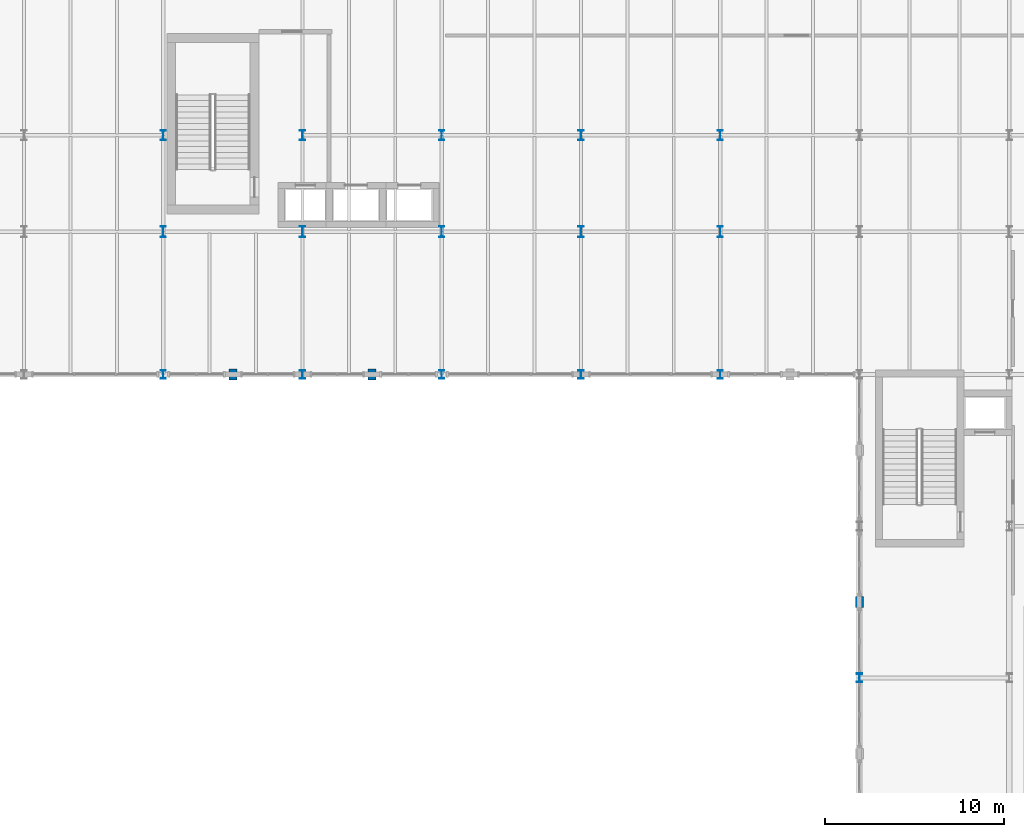
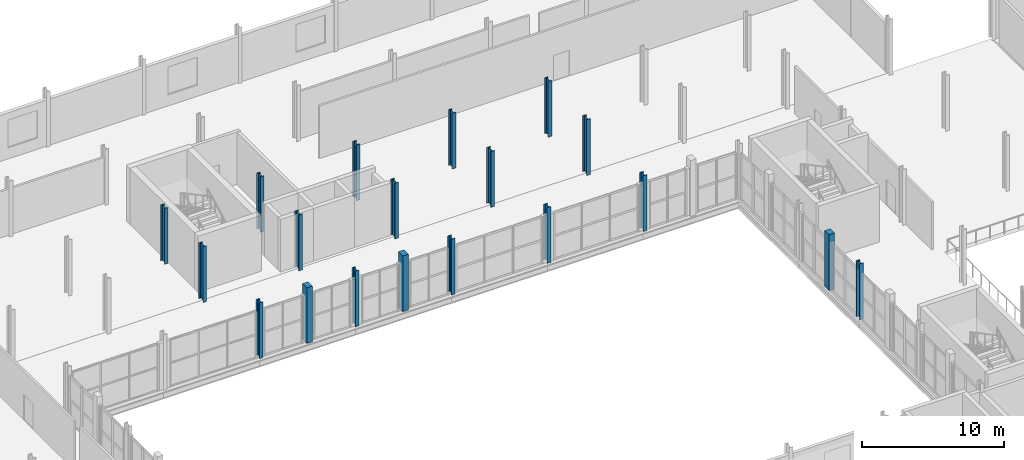
# One storey, part 9 of 63: 19 columns.
"""IFC4 building model written with IfcOpenShell, lengths in metres."""

from ifc_helpers import new_model, si_unit, direction, frame, origin, origin_2d, place, context, subcontext, project, spatial, rectangle, i_section, extrude, material, material_profile, profile_set, type_object, element, save


model = new_model("IFC4")

# Units and contexts
model_context = context("Model", 3, precision=1e-05, world=origin(), true_north=direction((0.0, 1.0)))
body_context = subcontext(model_context, "Body", "Model", "MODEL_VIEW")
ifc_project = project(units=[si_unit("LENGTHUNIT", "METRE"), si_unit("AREAUNIT", "SQUARE_METRE"), si_unit("VOLUMEUNIT", "CUBIC_METRE"), si_unit("PLANEANGLEUNIT", "RADIAN"), si_unit("MASSUNIT", "GRAM", prefix="KILO")], contexts=[model_context])

# Site, building, storey
site_placement = place(None, origin())
site = spatial("IfcSite", under=ifc_project, at=site_placement, CompositionType="ELEMENT")
building_placement = place(site_placement, origin())
building = spatial("IfcBuilding", under=site, at=building_placement, Name="Sefraquen Railside Congress Hotel", CompositionType="ELEMENT")
storey_placement = place(building_placement, frame((0.0, 0.0, 11.39990234375)))
storey = spatial("IfcBuildingStorey", under=building, at=storey_placement, Name="L02", CompositionType="ELEMENT", Elevation=11.39990234375)

# Columns
ifc_material_1 = material(Name="Steel S355JR", Category="steel")
ifc_material_profile_1 = material_profile(ifc_material_1, i_section(OverallWidth=0.300048828125, OverallDepth=0.5, WebThickness=0.014404296875, FlangeThickness=0.028076171875, FilletRadius=0.027099609375, at=origin_2d()), Name="HEB 500")
ifc_profile_set_1 = profile_set([ifc_material_profile_1], Name="Steel S355JR")
column_type_1 = type_object("IfcColumnType", Name="TC-HEB-500", PredefinedType="COLUMN", material=ifc_profile_set_1)
for number, where, z_axis, x_axis, name in (
    (1, (64.199951171875, 88.0, 0.0), (0.0, 0.0, 1.0), (1.0, 0.0, 0.0), "Structural column 9-L L02"),
    (2, (72.0, 88.0, 0.0), (0.0, 0.0, 1.0), (1.0, 0.0, 0.0), "Structural column 10-L L02"),
    (3, (79.800048828125, 88.0, 0.0), (0.0, 0.0, 1.0), (1.0, 0.0, 0.0), "Structural column 11-L L02"),
    (4, (87.60009765625, 88.0, 0.0), (0.0, 0.0, 1.0), (1.0, 0.0, 0.0), "Structural column 12-L L02"),
    (5, (95.39990234375, 88.0, 0.0), (0.0, 0.0, 1.0), (1.0, 0.0, 0.0), "Structural column 13-L L02"),
    (6, (103.199951171875, 71.0, 0.0), (0.0, 0.0, 1.0), (1.0, 0.0, 0.0), "Structural column 14-J L02"),
):
    element("IfcColumn", number, at=place(storey_placement, frame(where, z_axis=z_axis, x_axis=x_axis)), inside=storey, type_object=column_type_1, Name=name, PredefinedType="COLUMN", context=body_context, shape_type="SweptSolid", body=[
        extrude(i_section(OverallWidth=0.300048828125, OverallDepth=0.5, WebThickness=0.014404296875, FlangeThickness=0.028076171875, FilletRadius=0.027099609375, at=origin_2d()), origin(), (0.0, 0.0, 1.0), 4.800048828125),
    ])
ifc_material_profile_2 = material_profile(ifc_material_1, i_section(OverallWidth=0.300048828125, OverallDepth=0.550048828125, WebThickness=0.014892578125, FlangeThickness=0.029052734375, FilletRadius=0.027099609375, at=origin_2d()), Name="HEB 550")
ifc_profile_set_2 = profile_set([ifc_material_profile_2], Name="Steel S355JR")
column_type_2 = type_object("IfcColumnType", Name="TC-HEB-550", PredefinedType="COLUMN", material=ifc_profile_set_2)
for number, where, z_axis, x_axis, name in (
    (7, (64.199951171875, 101.39990234375, 0.0), (0.0, 0.0, 1.0), (1.0, 0.0, 0.0), "Structural column 9-N L02"),
    (8, (72.0, 101.39990234375, 0.0), (0.0, 0.0, 1.0), (1.0, 0.0, 0.0), "Structural column 10-N L02"),
    (9, (79.800048828125, 101.39990234375, 0.0), (0.0, 0.0, 1.0), (1.0, 0.0, 0.0), "Structural column 11-N L02"),
    (10, (87.60009765625, 101.39990234375, 0.0), (0.0, 0.0, 1.0), (1.0, 0.0, 0.0), "Structural column 12-N L02"),
    (11, (95.39990234375, 101.39990234375, 0.0), (0.0, 0.0, 1.0), (1.0, 0.0, 0.0), "Structural column 13-N L02"),
):
    element("IfcColumn", number, at=place(storey_placement, frame(where, z_axis=z_axis, x_axis=x_axis)), inside=storey, type_object=column_type_2, Name=name, PredefinedType="COLUMN", context=body_context, shape_type="SweptSolid", body=[
        extrude(i_section(OverallWidth=0.300048828125, OverallDepth=0.550048828125, WebThickness=0.014892578125, FlangeThickness=0.029052734375, FilletRadius=0.027099609375, at=origin_2d()), origin(), (0.0, 0.0, 1.0), 4.800048828125),
    ])
ifc_material_profile_3 = material_profile(ifc_material_1, i_section(OverallWidth=0.300048828125, OverallDepth=0.60009765625, WebThickness=0.015380859375, FlangeThickness=0.030029296875, FilletRadius=0.027099609375, at=origin_2d()), Name="HEB 600")
ifc_profile_set_3 = profile_set([ifc_material_profile_3], Name="Steel S355JR")
column_type_3 = type_object("IfcColumnType", Name="TC-HEB-600", PredefinedType="COLUMN", material=ifc_profile_set_3)
for number, where, z_axis, x_axis, name in (
    (12, (64.199951171875, 96.0, 0.0), (0.0, 0.0, 1.0), (1.0, 0.0, 0.0), "Structural column 9-M L02"),
    (13, (72.0, 96.0, 0.0), (0.0, 0.0, 1.0), (1.0, 0.0, 0.0), "Structural column 10-M L02"),
    (14, (79.800048828125, 96.0, 0.0), (0.0, 0.0, 1.0), (1.0, 0.0, 0.0), "Structural column 11-M L02"),
    (15, (87.60009765625, 96.0, 0.0), (0.0, 0.0, 1.0), (1.0, 0.0, 0.0), "Structural column 12-M L02"),
    (16, (95.39990234375, 96.0, 0.0), (0.0, 0.0, 1.0), (1.0, 0.0, 0.0), "Structural column 13-M L02"),
):
    element("IfcColumn", number, at=place(storey_placement, frame(where, z_axis=z_axis, x_axis=x_axis)), inside=storey, type_object=column_type_3, Name=name, PredefinedType="COLUMN", context=body_context, shape_type="SweptSolid", body=[
        extrude(i_section(OverallWidth=0.300048828125, OverallDepth=0.60009765625, WebThickness=0.015380859375, FlangeThickness=0.030029296875, FilletRadius=0.027099609375, at=origin_2d()), origin(), (0.0, 0.0, 1.0), 4.800048828125),
    ])
ifc_material_2 = material(Name="Concrete C50/60", Category="concrete")
ifc_material_profile_4 = material_profile(ifc_material_2, rectangle(XDim=0.449951171875, YDim=0.60009765625, at=origin_2d()), Name="RC 600x450")
ifc_profile_set_4 = profile_set([ifc_material_profile_4], Name="Concrete C50/60")
column_type_4 = type_object("IfcColumnType", Name="TC-PIL-600", PredefinedType="PILASTER", material=ifc_profile_set_4)
for number, where, z_axis, x_axis, name in (
    (17, (103.199951171875, 75.25, 0.0), (0.0, 0.0, 1.0), (1.0, 0.0, 0.0), "Courtyard limestone pilaster CPIL-E3 L02"),
    (18, (68.10009765625, 88.0, 0.0), (0.0, 0.0, 1.0), (1.0, 0.0, 0.0), "Courtyard limestone pilaster CPIL-N1 L02"),
    (19, (75.89990234375, 88.0, 0.0), (0.0, 0.0, 1.0), (1.0, 0.0, 0.0), "Courtyard limestone pilaster CPIL-N2 L02"),
):
    element("IfcColumn", number, at=place(storey_placement, frame(where, z_axis=z_axis, x_axis=x_axis)), inside=storey, type_object=column_type_4, Name=name, PredefinedType="PILASTER", context=body_context, shape_type="SweptSolid", body=[
        extrude(rectangle(XDim=0.449951171875, YDim=0.60009765625, at=origin_2d()), origin(), (0.0, 0.0, 1.0), 4.800048828125),
    ])

save(model, "model.ifc")
